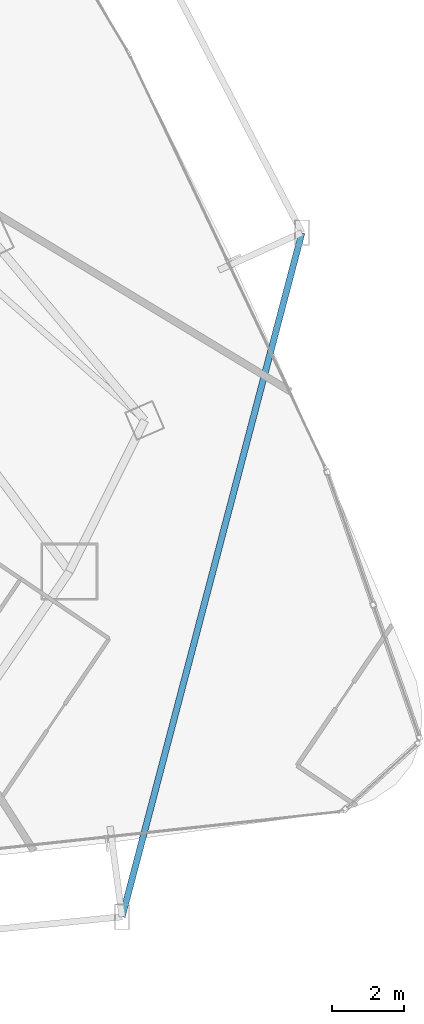
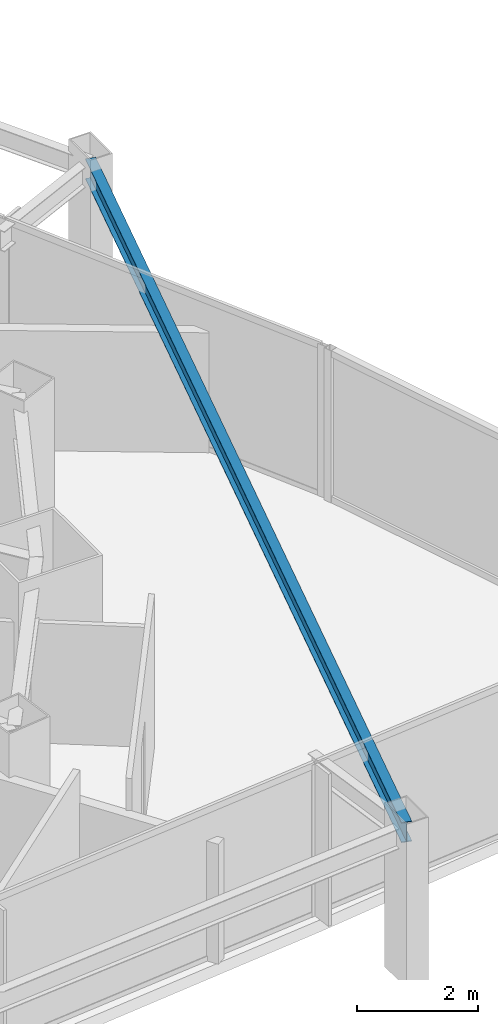
# One storey, part 17 of 38: 1 beam.
"""IFC4 building model written with IfcOpenShell, lengths in metres."""

from ifc_helpers import new_model, si_unit, direction, frame, origin, origin_2d, place, context, subcontext, project, spatial, i_section, extrude, material, material_profile, profile_set, type_object, element, save


model = new_model("IFC4")

# Units and contexts
model_context = context("Model", 3, precision=1e-05, world=origin(), true_north=direction((0.0, 1.0)))
body_context = subcontext(model_context, "Body", "Model", "MODEL_VIEW")
ifc_project = project(units=[si_unit("LENGTHUNIT", "METRE"), si_unit("AREAUNIT", "SQUARE_METRE"), si_unit("VOLUMEUNIT", "CUBIC_METRE"), si_unit("PLANEANGLEUNIT", "RADIAN"), si_unit("MASSUNIT", "GRAM", prefix="KILO")], contexts=[model_context])

# Site, building, storey
site_placement = place(None, origin())
site = spatial("IfcSite", under=ifc_project, at=site_placement, CompositionType="ELEMENT")
building_placement = place(site_placement, origin())
building = spatial("IfcBuilding", under=site, at=building_placement, Name="Orvanel Arch Residences", CompositionType="ELEMENT")
storey_placement = place(building_placement, frame((0.0, 0.0, 46.699951171875)))
storey = spatial("IfcBuildingStorey", under=building, at=storey_placement, Name="L12", CompositionType="ELEMENT", Elevation=46.699951171875)

# Beam
ifc_material = material(Name="Structural steel AS/NZS 3679.1 Grade 300 (300 MPa)", Category="steel")
ifc_material_profile = material_profile(ifc_material, i_section(OverallWidth=0.177978515625, OverallDepth=0.406005859375, WebThickness=0.0078125, FlangeThickness=0.0126953125, at=origin_2d()), Name="410UB59.7")
ifc_profile_set = profile_set([ifc_material_profile], Name="Structural steel AS/NZS 3679.1 Grade 300 (300 MPa)")
beam_type = type_object("IfcBeamType", Name="OB-410UB-EXT", PredefinedType="SPANDREL", material=ifc_profile_set)
beam_placement = place(storey_placement, frame((53.27587890625, 0.699951171875, 2.85693359375), z_axis=(0.254167617765, 0.967160184292, 0.0), x_axis=(-0.967160184292, 0.254167617765, 0.0)))
element("IfcBeam", 1, at=beam_placement, inside=storey, type_object=beam_type, Name="L12 Outer Perimeter Floor Ring Beam 08", PredefinedType="SPANDREL", context=body_context, shape_type="SweptSolid", body=[
    extrude(i_section(OverallWidth=0.177978515625, OverallDepth=0.406005859375, WebThickness=0.0078125, FlangeThickness=0.0126953125, at=origin_2d()), origin(), (0.0, 0.0, 1.0), 19.778564453125),
])

save(model, "model.ifc")
